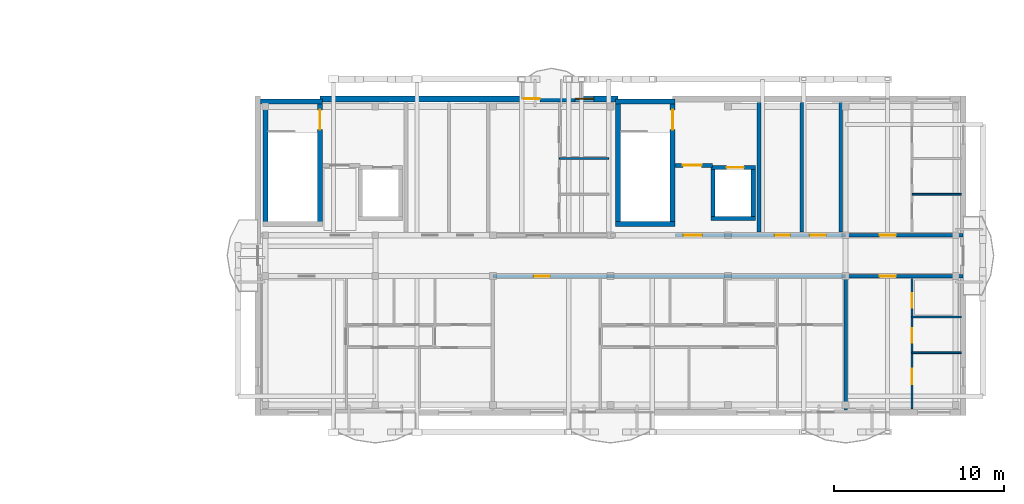
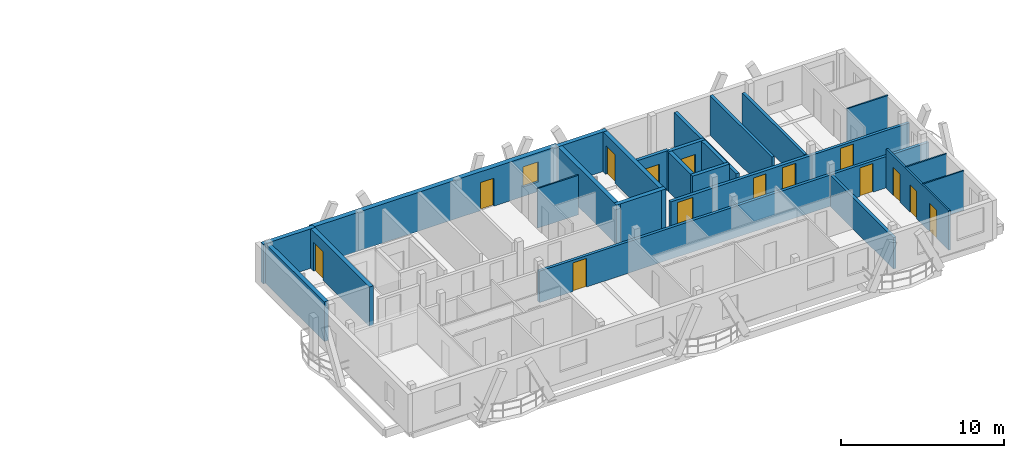
# One storey, part 26 of 41: 26 walls, 14 doors, 1 window, 15 openings.
"""IFC4 building model written with IfcOpenShell, lengths in metres."""

from ifc_helpers import new_model, si_unit, direction, frame, frame_2d, origin, origin_with_axes, place, context, subcontext, project, spatial, rectangle, extrude, material, layer, layer_set, type_object, element, fill, save


model = new_model("IFC4")

# Units and contexts
model_context = context("Model", 3, precision=1e-05, world=origin(), true_north=direction((0.0, 1.0)))
body_context = subcontext(model_context, "Body", "Model", "MODEL_VIEW")
ifc_project = project(units=[si_unit("LENGTHUNIT", "METRE"), si_unit("AREAUNIT", "SQUARE_METRE"), si_unit("VOLUMEUNIT", "CUBIC_METRE"), si_unit("PLANEANGLEUNIT", "RADIAN"), si_unit("MASSUNIT", "GRAM", prefix="KILO")], contexts=[model_context])

# Site, building, storey
site_placement = place(None, origin())
site = spatial("IfcSite", under=ifc_project, at=site_placement, CompositionType="ELEMENT")
building_placement = place(site_placement, origin())
building = spatial("IfcBuilding", under=site, at=building_placement, Name="Zavelmont Quarter", CompositionType="ELEMENT")
storey_placement = place(building_placement, frame((0.0, 0.0, 27.199951171875)))
storey = spatial("IfcBuildingStorey", under=building, at=storey_placement, Name="L08", CompositionType="ELEMENT", Elevation=27.199951171875)

# Wall, openings, door, window
ifc_material_1 = material(Name="Natural Belgian limestone", Category="masonry")
ifc_layer_1 = layer(ifc_material_1, 0.340087890625)
ifc_layer_set_1 = layer_set([ifc_layer_1], Name="Natural Belgian limestone")
wall_type_1 = type_object("IfcWallType", Name="EW03", PredefinedType="STANDARD", material=ifc_layer_set_1)
wall_1_placement = place(storey_placement, frame((130.25, 18.39990234375, 0.0), z_axis=(0.0, 0.0, 1.0), x_axis=(1.0, 0.0, 0.0)))
wall_1 = element("IfcWall", 1, at=wall_1_placement, inside=storey, type_object=wall_type_1, Name="L08 exterior limestone wall EW03", PredefinedType="STANDARD", context=body_context, shape_type="SweptSolid", body=[
    extrude(rectangle(XDim=17.5, YDim=0.340087890625, at=frame_2d((8.75, 0.0))), origin(), (0.0, 0.0, 1.0), 2.91015625),
])
opening_1_placement = place(wall_1_placement, frame((11.964599609375, 0.0, 0.0)))
opening_1 = element("IfcOpeningElement", 2, at=opening_1_placement, cuts=wall_1, Name="Opening DR04", PredefinedType="OPENING", context=body_context, shape_type="SweptSolid", body=[
    extrude(rectangle(XDim=0.949951171875, YDim=2.10009765625, at=frame_2d((0.47509765625, 1.050048828125))), frame((0.0, 0.18212890625, 0.0), z_axis=(0.0, -1.0, 0.0), x_axis=(1.0, 0.0, 0.0)), (0.0, 0.0, 1.0), 0.364013671875),
])
opening_2_placement = place(wall_1_placement, frame((14.969970703125, 0.0, 0.719970703125)))
opening_2 = element("IfcOpeningElement", 3, at=opening_2_placement, cuts=wall_1, Name="Opening WN09", PredefinedType="OPENING", context=body_context, shape_type="SweptSolid", body=[
    extrude(rectangle(XDim=1.10009765625, YDim=1.5, at=frame_2d((0.550048828125, 0.75))), frame((0.0, 0.18212890625, 0.0), z_axis=(0.0, -1.0, 0.0), x_axis=(1.0, 0.0, 0.0)), (0.0, 0.0, 1.0), 0.364013671875),
])
ifc_material_2 = material(Name="Thermally broken aluminium and double safety glass", Category="aluminium")
door_type_1 = type_object("IfcDoorType", Name="DR04", OperationType="NOTDEFINED", PredefinedType="DOOR", material=ifc_material_2)
door_1_placement = place(opening_1_placement, frame((0.949951171875, 0.0, 0.0), z_axis=(0.0, 0.0, 1.0), x_axis=(-1.0, 0.0, 0.0)))
door_1 = element("IfcDoor", 4, at=door_1_placement, inside=storey, type_object=door_type_1, Name="Block D L08 glazed balcony door", OperationType="SINGLE_SWING_LEFT", OverallHeight=2.10009765625, OverallWidth=0.949951171875, PredefinedType="DOOR", context=body_context, shape_type="SweptSolid", body=[
    extrude(rectangle(XDim=0.949951171875, YDim=2.10009765625, at=frame_2d((0.47509765625, 1.050048828125))), frame((0.0, 0.02490234375, 0.0), z_axis=(0.0, -1.0, 0.0), x_axis=(1.0, 0.0, 0.0)), (0.0, 0.0, 1.0), 0.050048828125),
])
fill(opening_1, door_1)
ifc_material_3 = material(Name="Double low-E insulated glazing in thermally broken aluminium frame", Category="aluminium")
window_type = type_object("IfcWindowType", Name="WN09", PartitioningType="SINGLE_PANEL", PredefinedType="WINDOW", material=ifc_material_3)
window_placement = place(opening_2_placement, origin_with_axes())
window = element("IfcWindow", 5, at=window_placement, inside=storey, type_object=window_type, Name="L08 window WN09", OverallHeight=1.5, OverallWidth=1.10009765625, PartitioningType="SINGLE_PANEL", PredefinedType="WINDOW", context=body_context, shape_type="SweptSolid", body=[
    extrude(rectangle(XDim=1.10009765625, YDim=1.5, at=frame_2d((0.550048828125, 0.75))), frame((0.0, 0.030029296875, 0.0), z_axis=(0.0, -1.0, 0.0), x_axis=(1.0, 0.0, 0.0)), (0.0, 0.0, 1.0), 0.06005859375),
])
fill(opening_2, window)

# Walls
ifc_material_4 = material(Name="Calcium-silicate blockwork and acoustic plaster", Category="masonry")
ifc_layer_2 = layer(ifc_material_4, 0.199951171875)
ifc_layer_set_2 = layer_set([ifc_layer_2], Name="Calcium-silicate blockwork and acoustic plaster")
wall_type_2 = type_object("IfcWallType", Name="IW01", PredefinedType="PARTITIONING", material=ifc_layer_set_2)
wall_2_placement = place(storey_placement, frame((158.52490234375, 10.60009765625, 0.0), z_axis=(0.0, 0.0, 1.0), x_axis=(0.0, 1.0, 0.0)))
element("IfcWall", 6, at=wall_2_placement, inside=storey, type_object=wall_type_2, Name="L08 Service riser divider wall IW01", PredefinedType="PARTITIONING", context=body_context, shape_type="SweptSolid", body=[
    extrude(rectangle(XDim=7.599853515625, YDim=0.199951171875, at=frame_2d((3.7998046875, 0.0))), origin(), (0.0, 0.0, 1.0), 2.9599609375),
])
wall_3_placement = place(storey_placement, frame((160.820068359375, 10.60009765625, 0.0), z_axis=(0.0, 0.0, 1.0), x_axis=(0.0, 1.0, 0.0)))
element("IfcWall", 7, at=wall_3_placement, inside=storey, type_object=wall_type_2, Name="L08 Core service end wall IW01", PredefinedType="PARTITIONING", context=body_context, shape_type="SweptSolid", body=[
    extrude(rectangle(XDim=7.599853515625, YDim=0.199951171875, at=frame_2d((3.7998046875, 0.0))), origin(), (0.0, 0.0, 1.0), 2.35009765625),
])
wall_4_placement = place(storey_placement, frame((161.10009765625, 7.85009765625, 0.0), z_axis=(0.0, 0.0, 1.0), x_axis=(0.0, -1.0, 0.0)))
element("IfcWall", 8, at=wall_4_placement, inside=storey, type_object=wall_type_2, Name="L08 Inter-dwelling compartment wall IW01", PredefinedType="PARTITIONING", context=body_context, shape_type="SweptSolid", body=[
    extrude(rectangle(XDim=7.7001953125, YDim=0.199951171875, at=frame_2d((3.85009765625, 0.0))), origin(), (0.0, 0.0, 1.0), 2.35009765625),
])

# Wall, opening, door
wall_5_placement = place(storey_placement, frame((140.39990234375, 8.0, 0.0), z_axis=(0.0, 0.0, 1.0), x_axis=(1.0, 0.0, 0.0)))
wall_5 = element("IfcWall", 9, at=wall_5_placement, inside=storey, type_object=wall_type_2, Name="L08 Corridor compartment wall IW01", PredefinedType="PARTITIONING", context=body_context, shape_type="SweptSolid", body=[
    extrude(rectangle(XDim=20.7001953125, YDim=0.199951171875, at=frame_2d((10.35009765625, 0.0))), origin(), (0.0, 0.0, 1.0), 2.35009765625),
])
opening_3_placement = place(wall_5_placement, frame((2.39990234375, 0.0, 0.0)))
opening_3 = element("IfcOpeningElement", 10, at=opening_3_placement, cuts=wall_5, Name="Opening DR02", PredefinedType="OPENING", context=body_context, shape_type="SweptSolid", body=[
    extrude(rectangle(XDim=0.949951171875, YDim=2.14990234375, at=frame_2d((0.47509765625, 1.074951171875))), frame((0.0, 0.11181640625, 0.0), z_axis=(0.0, -1.0, 0.0), x_axis=(1.0, 0.0, 0.0)), (0.0, 0.0, 1.0), 0.223876953125),
])
ifc_material_5 = material(Name="Solid-core oak fire leaf in steel frame", Category="steel")
door_type_2 = type_object("IfcDoorType", Name="DR02", OperationType="NOTDEFINED", PredefinedType="DOOR", material=ifc_material_5)
door_2_placement = place(opening_3_placement, frame((0.949951171875, 0.0, 0.0), z_axis=(0.0, 0.0, 1.0), x_axis=(-1.0, 0.0, 0.0)))
door_2 = element("IfcDoor", 11, at=door_2_placement, inside=storey, type_object=door_type_2, Name="L08 door DR02", OperationType="SINGLE_SWING_RIGHT", OverallHeight=2.14990234375, OverallWidth=0.949951171875, PredefinedType="DOOR", context=body_context, shape_type="SweptSolid", body=[
    extrude(rectangle(XDim=0.949951171875, YDim=2.14990234375, at=frame_2d((0.47509765625, 1.074951171875))), frame((0.0, 0.02490234375, 0.0), z_axis=(0.0, -1.0, 0.0), x_axis=(1.0, 0.0, 0.0)), (0.0, 0.0, 1.0), 0.050048828125),
])
fill(opening_3, door_2)

wall_6_placement = place(storey_placement, frame((161.10009765625, 8.0, 0.0), z_axis=(0.0, 0.0, 1.0), x_axis=(1.0, 0.0, 0.0)))
wall_6 = element("IfcWall", 12, at=wall_6_placement, inside=storey, type_object=wall_type_2, Name="L08 Corridor compartment wall IW01", PredefinedType="PARTITIONING", context=body_context, shape_type="SweptSolid", body=[
    extrude(rectangle(XDim=6.89990234375, YDim=0.199951171875, at=frame_2d((3.449951171875, 0.0))), origin(), (0.0, 0.0, 1.0), 2.35009765625),
])
opening_4_placement = place(wall_6_placement, frame((2.0, 0.0, 0.0)))
opening_4 = element("IfcOpeningElement", 13, at=opening_4_placement, cuts=wall_6, Name="Opening DR02", PredefinedType="OPENING", context=body_context, shape_type="SweptSolid", body=[
    extrude(rectangle(XDim=0.949951171875, YDim=2.14990234375, at=frame_2d((0.47509765625, 1.074951171875))), frame((0.0, 0.11181640625, 0.0), z_axis=(0.0, -1.0, 0.0), x_axis=(1.0, 0.0, 0.0)), (0.0, 0.0, 1.0), 0.223876953125),
])
door_3_placement = place(opening_4_placement, frame((0.949951171875, 0.0, 0.0), z_axis=(0.0, 0.0, 1.0), x_axis=(-1.0, 0.0, 0.0)))
door_3 = element("IfcDoor", 14, at=door_3_placement, inside=storey, type_object=door_type_2, Name="L08 door DR02", OperationType="SINGLE_SWING_RIGHT", OverallHeight=2.14990234375, OverallWidth=0.949951171875, PredefinedType="DOOR", context=body_context, shape_type="SweptSolid", body=[
    extrude(rectangle(XDim=0.949951171875, YDim=2.14990234375, at=frame_2d((0.47509765625, 1.074951171875))), frame((0.0, 0.02490234375, 0.0), z_axis=(0.0, -1.0, 0.0), x_axis=(1.0, 0.0, 0.0)), (0.0, 0.0, 1.0), 0.050048828125),
])
fill(opening_4, door_3)

wall_7_placement = place(storey_placement, frame((161.10009765625, 10.39990234375, 0.0), z_axis=(0.0, 0.0, 1.0), x_axis=(1.0, 0.0, 0.0)))
wall_7 = element("IfcWall", 15, at=wall_7_placement, inside=storey, type_object=wall_type_2, Name="L08 Corridor compartment wall IW01", PredefinedType="PARTITIONING", context=body_context, shape_type="SweptSolid", body=[
    extrude(rectangle(XDim=6.89990234375, YDim=0.199951171875, at=frame_2d((3.449951171875, 0.0))), origin(), (0.0, 0.0, 1.0), 2.35009765625),
])
opening_5_placement = place(wall_7_placement, frame((2.0, 0.0, 0.0)))
opening_5 = element("IfcOpeningElement", 16, at=opening_5_placement, cuts=wall_7, Name="Opening DR02", PredefinedType="OPENING", context=body_context, shape_type="SweptSolid", body=[
    extrude(rectangle(XDim=0.949951171875, YDim=2.14990234375, at=frame_2d((0.47509765625, 1.074951171875))), frame((0.0, 0.11181640625, 0.0), z_axis=(0.0, -1.0, 0.0), x_axis=(1.0, 0.0, 0.0)), (0.0, 0.0, 1.0), 0.223876953125),
])
door_4_placement = place(opening_5_placement, origin_with_axes())
door_4 = element("IfcDoor", 17, at=door_4_placement, inside=storey, type_object=door_type_2, Name="L08 door DR02", OperationType="SINGLE_SWING_RIGHT", OverallHeight=2.14990234375, OverallWidth=0.949951171875, PredefinedType="DOOR", context=body_context, shape_type="SweptSolid", body=[
    extrude(rectangle(XDim=0.949951171875, YDim=2.14990234375, at=frame_2d((0.47509765625, 1.074951171875))), frame((0.0, 0.02490234375, 0.0), z_axis=(0.0, -1.0, 0.0), x_axis=(1.0, 0.0, 0.0)), (0.0, 0.0, 1.0), 0.050048828125),
])
fill(opening_5, door_4)

# Wall
ifc_material_6 = material(Name="Reinforced masonry fire compartment wall", Category="masonry")
ifc_layer_3 = layer(ifc_material_6, 0.22509765625)
ifc_layer_set_3 = layer_set([ifc_layer_3], Name="Reinforced masonry fire compartment wall")
wall_type_3 = type_object("IfcWallType", Name="IW02", PredefinedType="PARTITIONING", material=ifc_layer_set_3)
wall_8_placement = place(storey_placement, frame((156.010009765625, 10.60009765625, 0.0), z_axis=(0.0, 0.0, 1.0), x_axis=(0.0, 1.0, 0.0)))
element("IfcWall", 18, at=wall_8_placement, inside=storey, type_object=wall_type_3, Name="L08 Firefighting lobby enclosure wall IW02", PredefinedType="PARTITIONING", context=body_context, shape_type="SweptSolid", body=[
    extrude(rectangle(XDim=7.599853515625, YDim=0.22509765625, at=frame_2d((3.7998046875, 0.0))), origin(), (0.0, 0.0, 1.0), 2.590087890625),
])

# Wall, opening, door
wall_9_placement = place(storey_placement, frame((151.10009765625, 14.5, 0.0), z_axis=(0.0, 0.0, 1.0), x_axis=(1.0, 0.0, 0.0)))
wall_9 = element("IfcWall", 19, at=wall_9_placement, inside=storey, type_object=wall_type_3, Name="L08 Firefighting lobby threshold wall IW02", PredefinedType="PARTITIONING", context=body_context, shape_type="SweptSolid", body=[
    extrude(rectangle(XDim=2.199951171875, YDim=0.22509765625, at=frame_2d((1.10009765625, 0.0))), origin(), (0.0, 0.0, 1.0), 2.9599609375),
])
opening_6_placement = place(wall_9_placement, frame((0.449951171875, 0.0, 0.0)))
opening_6 = element("IfcOpeningElement", 20, at=opening_6_placement, cuts=wall_9, Name="Opening DR10", PredefinedType="OPENING", context=body_context, shape_type="SweptSolid", body=[
    extrude(rectangle(XDim=1.10009765625, YDim=2.14990234375, at=frame_2d((0.550048828125, 1.074951171875))), frame((0.0, 0.12451171875, 0.0), z_axis=(0.0, -1.0, 0.0), x_axis=(1.0, 0.0, 0.0)), (0.0, 0.0, 1.0), 0.2490234375),
])
ifc_material_7 = material(Name="Painted steel lobby fire door", Category="steel")
door_type_3 = type_object("IfcDoorType", Name="DR10", OperationType="NOTDEFINED", PredefinedType="DOOR", material=ifc_material_7)
door_5_placement = place(opening_6_placement, origin_with_axes())
door_5 = element("IfcDoor", 21, at=door_5_placement, inside=storey, type_object=door_type_3, Name="Firefighting lobby fire door", OperationType="SINGLE_SWING_LEFT", OverallHeight=2.14990234375, OverallWidth=1.10009765625, PredefinedType="DOOR", context=body_context, shape_type="SweptSolid", body=[
    extrude(rectangle(XDim=1.10009765625, YDim=2.14990234375, at=frame_2d((0.550048828125, 1.074951171875))), frame((0.0, 0.02490234375, 0.0), z_axis=(0.0, -1.0, 0.0), x_axis=(1.0, 0.0, 0.0)), (0.0, 0.0, 1.0), 0.050048828125),
])
fill(opening_6, door_5)

# Wall, openings, doors
wall_10_placement = place(storey_placement, frame((151.10009765625, 10.39990234375, 0.0), z_axis=(0.0, 0.0, 1.0), x_axis=(1.0, 0.0, 0.0)))
wall_10 = element("IfcWall", 22, at=wall_10_placement, inside=storey, type_object=wall_type_3, Name="L08 Core corridor fire wall IW02", PredefinedType="PARTITIONING", context=body_context, shape_type="SweptSolid", body=[
    extrude(rectangle(XDim=10.0, YDim=0.22509765625, at=frame_2d((5.0, 0.0))), origin(), (0.0, 0.0, 1.0), 2.35009765625),
])
opening_7_placement = place(wall_10_placement, frame((0.47509765625, 0.0, 0.0)))
opening_7 = element("IfcOpeningElement", 23, at=opening_7_placement, cuts=wall_10, Name="Opening DR10", PredefinedType="OPENING", context=body_context, shape_type="SweptSolid", body=[
    extrude(rectangle(XDim=1.10009765625, YDim=2.14990234375, at=frame_2d((0.550048828125, 1.074951171875))), frame((0.0, 0.12451171875, 0.0), z_axis=(0.0, -1.0, 0.0), x_axis=(1.0, 0.0, 0.0)), (0.0, 0.0, 1.0), 0.2490234375),
])
opening_8_placement = place(wall_10_placement, frame((5.85009765625, 0.0, 0.0)))
opening_8 = element("IfcOpeningElement", 24, at=opening_8_placement, cuts=wall_10, Name="Opening DR11", PredefinedType="OPENING", context=body_context, shape_type="SweptSolid", body=[
    extrude(rectangle(XDim=0.89990234375, YDim=2.10009765625, at=frame_2d((0.449951171875, 1.050048828125))), frame((0.0, 0.12451171875, 0.0), z_axis=(0.0, -1.0, 0.0), x_axis=(1.0, 0.0, 0.0)), (0.0, 0.0, 1.0), 0.2490234375),
])
opening_9_placement = place(wall_10_placement, frame((7.89990234375, 0.0, 0.0)))
opening_9 = element("IfcOpeningElement", 25, at=opening_9_placement, cuts=wall_10, Name="Opening DR02", PredefinedType="OPENING", context=body_context, shape_type="SweptSolid", body=[
    extrude(rectangle(XDim=0.949951171875, YDim=2.14990234375, at=frame_2d((0.47509765625, 1.074951171875))), frame((0.0, 0.12451171875, 0.0), z_axis=(0.0, -1.0, 0.0), x_axis=(1.0, 0.0, 0.0)), (0.0, 0.0, 1.0), 0.2490234375),
])
door_6_placement = place(opening_9_placement, frame((0.949951171875, 0.0, 0.0), z_axis=(0.0, 0.0, 1.0), x_axis=(-1.0, 0.0, 0.0)))
door_6 = element("IfcDoor", 26, at=door_6_placement, inside=storey, type_object=door_type_2, Name="Auxiliary store corridor door", OperationType="SINGLE_SWING_RIGHT", OverallHeight=2.14990234375, OverallWidth=0.949951171875, PredefinedType="DOOR", context=body_context, shape_type="SweptSolid", body=[
    extrude(rectangle(XDim=0.949951171875, YDim=2.14990234375, at=frame_2d((0.47509765625, 1.074951171875))), frame((0.0, 0.02490234375, 0.0), z_axis=(0.0, -1.0, 0.0), x_axis=(1.0, 0.0, 0.0)), (0.0, 0.0, 1.0), 0.050048828125),
])
fill(opening_9, door_6)
door_7_placement = place(opening_7_placement, origin_with_axes())
door_7 = element("IfcDoor", 27, at=door_7_placement, inside=storey, type_object=door_type_3, Name="Core vestibule fire door", OperationType="SINGLE_SWING_RIGHT", OverallHeight=2.14990234375, OverallWidth=1.10009765625, PredefinedType="DOOR", context=body_context, shape_type="SweptSolid", body=[
    extrude(rectangle(XDim=1.10009765625, YDim=2.14990234375, at=frame_2d((0.550048828125, 1.074951171875))), frame((0.0, 0.02490234375, 0.0), z_axis=(0.0, -1.0, 0.0), x_axis=(1.0, 0.0, 0.0)), (0.0, 0.0, 1.0), 0.050048828125),
])
fill(opening_7, door_7)
ifc_material_8 = material(Name="Painted steel service-riser fire door", Category="steel")
door_type_4 = type_object("IfcDoorType", Name="DR11", OperationType="NOTDEFINED", PredefinedType="DOOR", material=ifc_material_8)
door_8_placement = place(opening_8_placement, frame((0.89990234375, 0.0, 0.0), z_axis=(0.0, 0.0, 1.0), x_axis=(-1.0, 0.0, 0.0)))
door_8 = element("IfcDoor", 28, at=door_8_placement, inside=storey, type_object=door_type_4, Name="Service riser fire door", OperationType="SINGLE_SWING_LEFT", OverallHeight=2.10009765625, OverallWidth=0.89990234375, PredefinedType="DOOR", context=body_context, shape_type="SweptSolid", body=[
    extrude(rectangle(XDim=0.89990234375, YDim=2.10009765625, at=frame_2d((0.449951171875, 1.050048828125))), frame((0.0, 0.02490234375, 0.0), z_axis=(0.0, -1.0, 0.0), x_axis=(1.0, 0.0, 0.0)), (0.0, 0.0, 1.0), 0.050048828125),
])
fill(opening_8, door_8)

ifc_material_9 = material(Name="Double gypsum board on acoustic steel stud", Category="steel")
ifc_layer_4 = layer(ifc_material_9, 0.125)
ifc_layer_set_4 = layer_set([ifc_layer_4], Name="Double gypsum board on acoustic steel stud")
wall_type_4 = type_object("IfcWallType", Name="IW03", PredefinedType="PARTITIONING", material=ifc_layer_set_4)
wall_11_placement = place(storey_placement, frame((165.0, 7.85009765625, 0.0), z_axis=(0.0, 0.0, 1.0), x_axis=(0.0, -1.0, 0.0)))
wall_11 = element("IfcWall", 29, at=wall_11_placement, inside=storey, type_object=wall_type_4, Name="L08 Partition IW03", PredefinedType="PARTITIONING", context=body_context, shape_type="SweptSolid", body=[
    extrude(rectangle(XDim=7.650146484375, YDim=0.125, at=frame_2d((3.8251953125, 0.0))), origin(), (0.0, 0.0, 1.0), 2.9599609375),
])
opening_10_placement = place(wall_11_placement, frame((0.85009765625, 0.0, 0.0)))
opening_10 = element("IfcOpeningElement", 30, at=opening_10_placement, cuts=wall_11, Name="Opening DR16", PredefinedType="OPENING", context=body_context, shape_type="SweptSolid", body=[
    extrude(rectangle(XDim=0.85009765625, YDim=2.10009765625, at=frame_2d((0.425048828125, 1.050048828125))), frame((0.0, 0.074462890625, 0.0), z_axis=(0.0, -1.0, 0.0), x_axis=(1.0, 0.0, 0.0)), (0.0, 0.0, 1.0), 0.14892578125),
])
opening_11_placement = place(wall_11_placement, frame((2.89990234375, 0.0, 0.0)))
opening_11 = element("IfcOpeningElement", 31, at=opening_11_placement, cuts=wall_11, Name="Opening DR06", PredefinedType="OPENING", context=body_context, shape_type="SweptSolid", body=[
    extrude(rectangle(XDim=0.85009765625, YDim=2.050048828125, at=frame_2d((0.425048828125, 1.02490234375))), frame((0.0, 0.074462890625, 0.0), z_axis=(0.0, -1.0, 0.0), x_axis=(1.0, 0.0, 0.0)), (0.0, 0.0, 1.0), 0.14892578125),
])
opening_12_placement = place(wall_11_placement, frame((5.300048828125, 0.0, 0.0)))
opening_12 = element("IfcOpeningElement", 32, at=opening_12_placement, cuts=wall_11, Name="Opening DR05", PredefinedType="OPENING", context=body_context, shape_type="SweptSolid", body=[
    extrude(rectangle(XDim=0.89990234375, YDim=2.10009765625, at=frame_2d((0.449951171875, 1.050048828125))), frame((0.0, 0.074462890625, 0.0), z_axis=(0.0, -1.0, 0.0), x_axis=(1.0, 0.0, 0.0)), (0.0, 0.0, 1.0), 0.14892578125),
])
ifc_material_10 = material(Name="Engineered oak flush interior door")
door_type_5 = type_object("IfcDoorType", Name="DR05", OperationType="NOTDEFINED", PredefinedType="DOOR", material=ifc_material_10)
door_9_placement = place(opening_12_placement, origin_with_axes())
door_9 = element("IfcDoor", 33, at=door_9_placement, inside=storey, type_object=door_type_5, Name="L08 door DR05", OperationType="SINGLE_SWING_RIGHT", OverallHeight=2.10009765625, OverallWidth=0.89990234375, PredefinedType="DOOR", context=body_context, shape_type="SweptSolid", body=[
    extrude(rectangle(XDim=0.89990234375, YDim=2.10009765625, at=frame_2d((0.449951171875, 1.050048828125))), frame((0.0, 0.02490234375, 0.0), z_axis=(0.0, -1.0, 0.0), x_axis=(1.0, 0.0, 0.0)), (0.0, 0.0, 1.0), 0.050048828125),
])
fill(opening_12, door_9)
ifc_material_11 = material(Name="Moisture-resistant painted wet-room door")
door_type_6 = type_object("IfcDoorType", Name="DR06", OperationType="NOTDEFINED", PredefinedType="DOOR", material=ifc_material_11)
door_10_placement = place(opening_11_placement, frame((0.85009765625, 0.0, 0.0), z_axis=(0.0, 0.0, 1.0), x_axis=(-1.0, 0.0, 0.0)))
door_10 = element("IfcDoor", 34, at=door_10_placement, inside=storey, type_object=door_type_6, Name="L08 door DR06", OperationType="SINGLE_SWING_LEFT", OverallHeight=2.050048828125, OverallWidth=0.85009765625, PredefinedType="DOOR", context=body_context, shape_type="SweptSolid", body=[
    extrude(rectangle(XDim=0.85009765625, YDim=2.050048828125, at=frame_2d((0.425048828125, 1.02490234375))), frame((0.0, 0.02490234375, 0.0), z_axis=(0.0, -1.0, 0.0), x_axis=(1.0, 0.0, 0.0)), (0.0, 0.0, 1.0), 0.050048828125),
])
fill(opening_11, door_10)
door_type_7 = type_object("IfcDoorType", Name="DR16", OperationType="NOTDEFINED", PredefinedType="DOOR", material=ifc_material_10)
door_11_placement = place(opening_10_placement, origin_with_axes())
door_11 = element("IfcDoor", 35, at=door_11_placement, inside=storey, type_object=door_type_7, Name="L08 door DR16", OperationType="SINGLE_SWING_RIGHT", OverallHeight=2.10009765625, OverallWidth=0.85009765625, PredefinedType="DOOR", context=body_context, shape_type="SweptSolid", body=[
    extrude(rectangle(XDim=0.85009765625, YDim=2.10009765625, at=frame_2d((0.425048828125, 1.050048828125))), frame((0.0, 0.02490234375, 0.0), z_axis=(0.0, -1.0, 0.0), x_axis=(1.0, 0.0, 0.0)), (0.0, 0.0, 1.0), 0.050048828125),
])
fill(opening_10, door_11)

# Walls
ifc_material_12 = material(Name="Moisture-resistant gypsum board on steel stud", Category="steel")
ifc_layer_5 = layer(ifc_material_12, 0.10009765625)
ifc_layer_set_5 = layer_set([ifc_layer_5], Name="Moisture-resistant gypsum board on steel stud")
wall_type_5 = type_object("IfcWallType", Name="IW04", PredefinedType="PARTITIONING", material=ifc_layer_set_5)
for number, where, z_axis, x_axis, name in (
    (36, (165.0, 5.60009765625, 0.0), (0.0, 0.0, 1.0), (1.0, 0.0, 0.0), "L08 Partition IW04"),
    (37, (165.0, 3.5, 0.0), (0.0, 0.0, 1.0), (1.0, 0.0, 0.0), "L08 Partition IW04"),
    (38, (144.300048828125, 14.89990234375, 0.0), (0.0, 0.0, 1.0), (1.0, 0.0, 0.0), "L08 Partition IW04"),
    (39, (165.0, 12.800048828125, 0.0), (0.0, 0.0, 1.0), (1.0, 0.0, 0.0), "L08 Partition IW04"),
):
    element("IfcWall", number, at=place(storey_placement, frame(where, z_axis=z_axis, x_axis=x_axis)), inside=storey, type_object=wall_type_5, Name=name, PredefinedType="PARTITIONING", context=body_context, shape_type="SweptSolid", body=[
        extrude(rectangle(XDim=2.89990234375, YDim=0.10009765625, at=frame_2d((1.449951171875, 0.0))), origin(), (0.0, 0.0, 1.0), 2.9599609375),
    ])
ifc_material_13 = material(Name="Concrete C40/50", Category="concrete")
ifc_layer_6 = layer(ifc_material_13, 0.300048828125)
ifc_layer_set_6 = layer_set([ifc_layer_6], Name="Concrete C40/50")
wall_type_6 = type_object("IfcWallType", Name="SW01", PredefinedType="SHEAR", material=ifc_layer_set_6)
wall_12_placement = place(storey_placement, frame((127.050048828125, 10.89990234375, 0.0), z_axis=(0.0, 0.0, 1.0), x_axis=(0.0, 1.0, 0.0)))
element("IfcWall", 40, at=wall_12_placement, inside=storey, type_object=wall_type_6, Name="L08 ST07 west shear wall SW01", PredefinedType="SHEAR", context=body_context, shape_type="SweptSolid", body=[
    extrude(rectangle(XDim=7.5, YDim=0.300048828125, at=frame_2d((3.75, 0.0))), origin(), (0.0, 0.0, 1.0), 2.9599609375),
])

# Wall, opening, door
wall_13_placement = place(storey_placement, frame((130.25, 10.89990234375, 0.0), z_axis=(0.0, 0.0, 1.0), x_axis=(0.0, 1.0, 0.0)))
wall_13 = element("IfcWall", 41, at=wall_13_placement, inside=storey, type_object=wall_type_6, Name="L08 ST07 lobby shear wall SW01", PredefinedType="SHEAR", context=body_context, shape_type="SweptSolid", body=[
    extrude(rectangle(XDim=7.5, YDim=0.300048828125, at=frame_2d((3.75, 0.0))), origin(), (0.0, 0.0, 1.0), 2.9599609375),
])
opening_13_placement = place(wall_13_placement, frame((5.699951171875, 0.0, 0.0)))
opening_13 = element("IfcOpeningElement", 42, at=opening_13_placement, cuts=wall_13, Name="Opening DR09", PredefinedType="OPENING", context=body_context, shape_type="SweptSolid", body=[
    extrude(rectangle(XDim=1.14990234375, YDim=2.14990234375, at=frame_2d((0.574951171875, 1.074951171875))), frame((0.0, 0.162109375, 0.0), z_axis=(0.0, -1.0, 0.0), x_axis=(1.0, 0.0, 0.0)), (0.0, 0.0, 1.0), 0.323974609375),
])
ifc_material_14 = material(Name="Painted steel stair-core fire door", Category="steel")
door_type_8 = type_object("IfcDoorType", Name="DR09", OperationType="NOTDEFINED", PredefinedType="DOOR", material=ifc_material_14)
door_12_placement = place(opening_13_placement, origin_with_axes())
door_12 = element("IfcDoor", 43, at=door_12_placement, inside=storey, type_object=door_type_8, Name="ST07 protected stair door", OperationType="SINGLE_SWING_LEFT", OverallHeight=2.14990234375, OverallWidth=1.14990234375, PredefinedType="DOOR", context=body_context, shape_type="SweptSolid", body=[
    extrude(rectangle(XDim=1.14990234375, YDim=2.14990234375, at=frame_2d((0.574951171875, 1.074951171875))), frame((0.0, 0.02490234375, 0.0), z_axis=(0.0, -1.0, 0.0), x_axis=(1.0, 0.0, 0.0)), (0.0, 0.0, 1.0), 0.050048828125),
])
fill(opening_13, door_12)

# Walls
wall_14_placement = place(storey_placement, frame((147.60009765625, 11.050048828125, 0.0), z_axis=(0.0, 0.0, 1.0), x_axis=(1.0, 0.0, 0.0)))
element("IfcWall", 44, at=wall_14_placement, inside=storey, type_object=wall_type_6, Name="L08 ST08 corridor shear wall SW01", PredefinedType="SHEAR", context=body_context, shape_type="SweptSolid", body=[
    extrude(rectangle(XDim=3.5, YDim=0.300048828125, at=frame_2d((1.75, 0.0))), origin(), (0.0, 0.0, 1.0), 2.9599609375),
])
wall_15_placement = place(storey_placement, frame((147.75, 10.89990234375, 0.0), z_axis=(0.0, 0.0, 1.0), x_axis=(0.0, 1.0, 0.0)))
element("IfcWall", 45, at=wall_15_placement, inside=storey, type_object=wall_type_6, Name="L08 ST08 west shear wall SW01", PredefinedType="SHEAR", context=body_context, shape_type="SweptSolid", body=[
    extrude(rectangle(XDim=7.5, YDim=0.300048828125, at=frame_2d((3.75, 0.0))), origin(), (0.0, 0.0, 1.0), 2.9599609375),
])

# Wall, opening, door
wall_16_placement = place(storey_placement, frame((150.949951171875, 10.89990234375, 0.0), z_axis=(0.0, 0.0, 1.0), x_axis=(0.0, 1.0, 0.0)))
wall_16 = element("IfcWall", 46, at=wall_16_placement, inside=storey, type_object=wall_type_6, Name="L08 ST08 lobby shear wall SW01", PredefinedType="SHEAR", context=body_context, shape_type="SweptSolid", body=[
    extrude(rectangle(XDim=7.5, YDim=0.300048828125, at=frame_2d((3.75, 0.0))), origin(), (0.0, 0.0, 1.0), 2.9599609375),
])
opening_14_placement = place(wall_16_placement, frame((5.699951171875, 0.0, 0.0)))
opening_14 = element("IfcOpeningElement", 47, at=opening_14_placement, cuts=wall_16, Name="Opening DR09", PredefinedType="OPENING", context=body_context, shape_type="SweptSolid", body=[
    extrude(rectangle(XDim=1.14990234375, YDim=2.14990234375, at=frame_2d((0.574951171875, 1.074951171875))), frame((0.0, 0.162109375, 0.0), z_axis=(0.0, -1.0, 0.0), x_axis=(1.0, 0.0, 0.0)), (0.0, 0.0, 1.0), 0.323974609375),
])
door_13_placement = place(opening_14_placement, origin_with_axes())
door_13 = element("IfcDoor", 48, at=door_13_placement, inside=storey, type_object=door_type_8, Name="ST08 protected stair door", OperationType="SINGLE_SWING_LEFT", OverallHeight=2.14990234375, OverallWidth=1.14990234375, PredefinedType="DOOR", context=body_context, shape_type="SweptSolid", body=[
    extrude(rectangle(XDim=1.14990234375, YDim=2.14990234375, at=frame_2d((0.574951171875, 1.074951171875))), frame((0.0, 0.02490234375, 0.0), z_axis=(0.0, -1.0, 0.0), x_axis=(1.0, 0.0, 0.0)), (0.0, 0.0, 1.0), 0.050048828125),
])
fill(opening_14, door_13)

ifc_layer_7 = layer(ifc_material_13, 0.25)
ifc_layer_set_7 = layer_set([ifc_layer_7], Name="Concrete C40/50")
wall_type_7 = type_object("IfcWallType", Name="SW02", PredefinedType="SHEAR", material=ifc_layer_set_7)
wall_17_placement = place(storey_placement, frame((153.199951171875, 14.375, 0.0), z_axis=(0.0, 0.0, 1.0), x_axis=(1.0, 0.0, 0.0)))
wall_17 = element("IfcWall", 49, at=wall_17_placement, inside=storey, type_object=wall_type_7, Name="L08 Lift LF08 landing shaft wall SW02", PredefinedType="SHEAR", context=body_context, shape_type="SweptSolid", body=[
    extrude(rectangle(XDim=2.60009765625, YDim=0.25, at=frame_2d((1.300048828125, 0.0))), origin(), (0.0, 0.0, 1.0), 2.9599609375),
])
opening_15_placement = place(wall_17_placement, frame((0.925048828125, 0.0, 0.0)))
opening_15 = element("IfcOpeningElement", 50, at=opening_15_placement, cuts=wall_17, Name="Opening LD01", PredefinedType="OPENING", context=body_context, shape_type="SweptSolid", body=[
    extrude(rectangle(XDim=1.0, YDim=2.10009765625, at=frame_2d((0.5, 1.050048828125))), frame((0.0, 0.136962890625, 0.0), z_axis=(0.0, -1.0, 0.0), x_axis=(1.0, 0.0, 0.0)), (0.0, 0.0, 1.0), 0.27392578125),
])
ifc_material_15 = material(Name="Brushed stainless-steel automatic sliding landing door", Category="steel")
door_type_9 = type_object("IfcDoorType", Name="LD01", OperationType="SLIDING_TO_LEFT", PredefinedType="DOOR", material=ifc_material_15)
door_14_placement = place(opening_15_placement, origin_with_axes())
door_14 = element("IfcDoor", 51, at=door_14_placement, inside=storey, type_object=door_type_9, Name="Lift LF08 sliding landing door", OperationType="SLIDING_TO_LEFT", OverallHeight=2.10009765625, OverallWidth=1.0, PredefinedType="DOOR", context=body_context, shape_type="SweptSolid", body=[
    extrude(rectangle(XDim=1.0, YDim=2.10009765625, at=frame_2d((0.5, 1.050048828125))), frame((0.0, 0.02490234375, 0.0), z_axis=(0.0, -1.0, 0.0), x_axis=(1.0, 0.0, 0.0)), (0.0, 0.0, 1.0), 0.050048828125),
])
fill(opening_15, door_14)

# Walls
wall_18_placement = place(storey_placement, frame((153.199951171875, 11.375, 0.0), z_axis=(0.0, 0.0, 1.0), x_axis=(1.0, 0.0, 0.0)))
element("IfcWall", 52, at=wall_18_placement, inside=storey, type_object=wall_type_7, Name="L08 Lift LF08 back shaft wall SW02", PredefinedType="SHEAR", context=body_context, shape_type="SweptSolid", body=[
    extrude(rectangle(XDim=2.60009765625, YDim=0.25, at=frame_2d((1.300048828125, 0.0))), origin(), (0.0, 0.0, 1.0), 2.9599609375),
])
for number, where, z_axis, x_axis, name in (
    (53, (153.324951171875, 11.25, 0.0), (0.0, 0.0, 1.0), (0.0, 1.0, 0.0), "L08 Lift LF08 west shaft wall SW02"),
    (54, (155.675048828125, 11.25, 0.0), (0.0, 0.0, 1.0), (0.0, 1.0, 0.0), "L08 Lift LF08 east shaft wall SW02"),
):
    element("IfcWall", number, at=place(storey_placement, frame(where, z_axis=z_axis, x_axis=x_axis)), inside=storey, type_object=wall_type_7, Name=name, PredefinedType="SHEAR", context=body_context, shape_type="SweptSolid", body=[
        extrude(rectangle(XDim=3.25, YDim=0.25, at=frame_2d((1.625, 0.0))), origin(), (0.0, 0.0, 1.0), 2.9599609375),
    ])
ifc_layer_8 = layer(ifc_material_13, 0.300048828125)
ifc_layer_set_8 = layer_set([ifc_layer_8], Name="Concrete C40/50")
wall_type_8 = type_object("IfcWallType", Name="SW03", PredefinedType="SHEAR", material=ifc_layer_set_8)
wall_19_placement = place(storey_placement, frame((126.75, 18.25, 0.0), z_axis=(0.0, 0.0, 1.0), x_axis=(1.0, 0.0, 0.0)))
element("IfcWall", 55, at=wall_19_placement, inside=storey, type_object=wall_type_8, Name="L08 ST07 outer shear wall SW03", PredefinedType="SHEAR", context=body_context, shape_type="SweptSolid", body=[
    extrude(rectangle(XDim=3.64990234375, YDim=0.300048828125, at=frame_2d((1.824951171875, 0.0))), origin(), (0.0, 0.0, 1.0), 2.9599609375),
])
wall_20_placement = place(storey_placement, frame((147.60009765625, 18.25, 0.0), z_axis=(0.0, 0.0, 1.0), x_axis=(1.0, 0.0, 0.0)))
element("IfcWall", 56, at=wall_20_placement, inside=storey, type_object=wall_type_8, Name="L08 ST08 outer shear wall SW03", PredefinedType="SHEAR", context=body_context, shape_type="SweptSolid", body=[
    extrude(rectangle(XDim=3.5, YDim=0.300048828125, at=frame_2d((1.75, 0.0))), origin(), (0.0, 0.0, 1.0), 2.9599609375),
])

save(model, "model.ifc")
